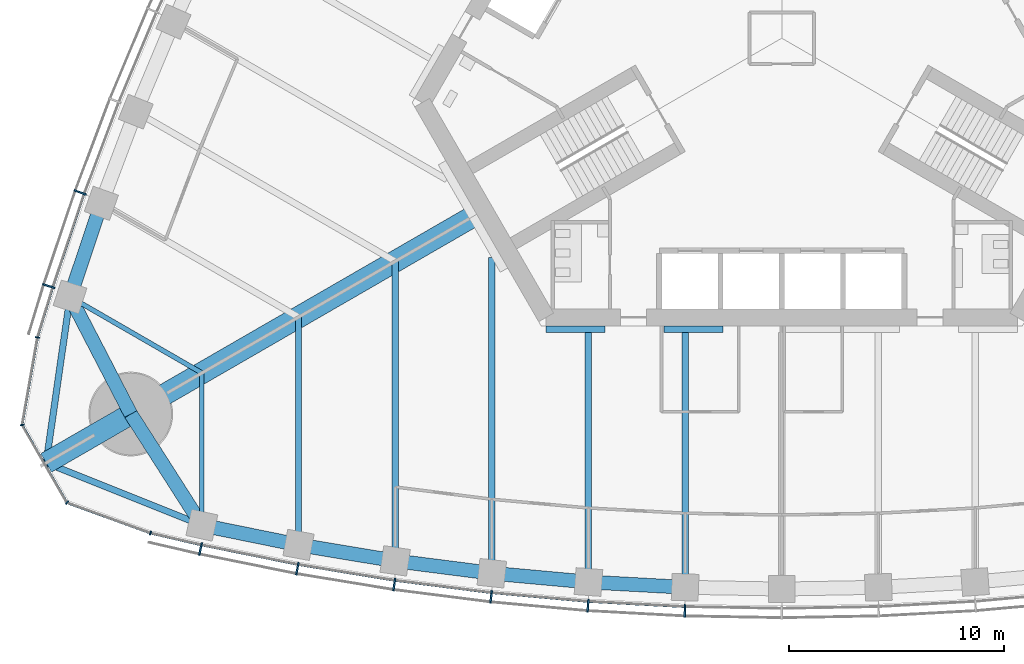
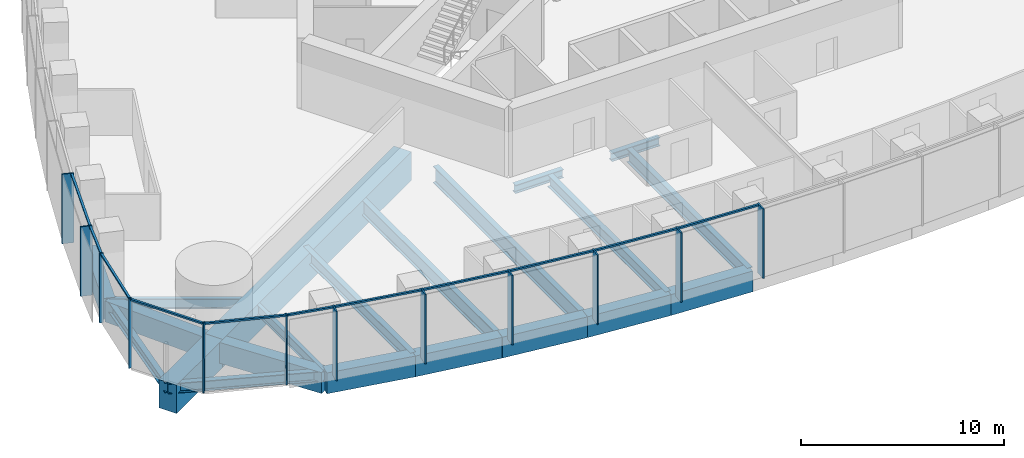
# One storey, part 2 of 19: 23 members, 21 beams, 3 elements without a shape of their own.
"""IFC4 building model written with IfcOpenShell, lengths in metres."""

import ifcopenshell
import ifcopenshell.guid

model = None  # the IFC model being written
_history = None  # IfcOwnerHistory: only IFC2X3 demands one
_inside = {}  # id of a spatial element -> (the spatial element, [elements in it])
_under = {}  # id of a project, library or spatial element -> (it, [spatial elements below it])
_declared = {}  # id of a project -> (the project, [libraries it declares])
_typed = {}  # id of a type object -> (the type object, [elements of that type])
_made_of = {}  # id of a material, layer set ... -> (it, [elements and type objects made of it])


def new_model(schema):
    """Start an empty IFC model of exactly this schema.

    Asked for "IFC4X3", IfcOpenShell would pick the latest addendum, in which some entities
    have other attributes; the version numbers below select the first issue.
    IFC2X3 requires an IfcOwnerHistory on every rooted entity: one is made here for all.
    """
    global model, _history
    if schema == "IFC4X3":
        model = ifcopenshell.file(schema_version=(4, 3, 0, 0))
    else:
        model = ifcopenshell.file(schema=schema)
    _inside.clear()
    _under.clear()
    _declared.clear()
    _typed.clear()
    _made_of.clear()
    _history = None
    if model.schema == "IFC2X3":
        org = make("IfcOrganization", Name="unknown")
        user = make(
            "IfcPersonAndOrganization",
            ThePerson=make("IfcPerson", FamilyName="unknown"),
            TheOrganization=org,
        )
        app = make(
            "IfcApplication",
            ApplicationDeveloper=org,
            Version="unknown",
            ApplicationFullName="unknown",
            ApplicationIdentifier="unknown",
        )
        _history = make(
            "IfcOwnerHistory",
            OwningUser=user,
            OwningApplication=app,
            ChangeAction="ADDED",
            CreationDate=0,
        )
    return model


def make(cls, **values):
    """One entity of the class cls with the attributes given. An attribute that is None is left unset."""
    return model.create_entity(
        cls, **{name: value for name, value in values.items() if value is not None}
    )


def rooted(cls, **values):
    """An entity with a GlobalId (a new one), such as an element, a storey or a relation."""
    return make(cls, GlobalId=ifcopenshell.guid.new(), OwnerHistory=_history, **values)


def si_unit(unit_type, name, prefix=None):
    """IfcSIUnit, for example si_unit("LENGTHUNIT", "METRE", prefix="MILLI")."""
    return make("IfcSIUnit", UnitType=unit_type, Prefix=prefix, Name=name)


def assignment(units):
    """IfcUnitAssignment: the units of a project."""
    return None if units is None else make("IfcUnitAssignment", Units=units)


def point(xyz):
    """IfcCartesianPoint."""
    return None if xyz is None else make("IfcCartesianPoint", Coordinates=xyz)


def direction(xyz):
    """IfcDirection."""
    return None if xyz is None else make("IfcDirection", DirectionRatios=xyz)


def frame(location, z_axis=None, x_axis=None):
    """IfcAxis2Placement3D, a coordinate frame: its origin and axes. An axis left out is left unset."""
    return make(
        "IfcAxis2Placement3D",
        Location=point(location),
        Axis=direction(z_axis),
        RefDirection=direction(x_axis),
    )


def frame_2d(location, x_axis=None):
    """IfcAxis2Placement2D, a coordinate frame in the plane: its origin and x axis."""
    return make(
        "IfcAxis2Placement2D", Location=point(location), RefDirection=direction(x_axis)
    )


def origin():
    """The frame at (0, 0, 0) with its axes left unset."""
    return frame((0.0, 0.0, 0.0))


def origin_2d():
    """The frame at (0, 0) in the plane with its x axis left unset."""
    return frame_2d((0.0, 0.0))


def place(relative_to, where):
    """IfcLocalPlacement: puts the frame where relative to a parent placement (None: the world)."""
    return make(
        "IfcLocalPlacement", PlacementRelTo=relative_to, RelativePlacement=where
    )


def context(
    kind, dimensions, precision=None, world=None, true_north=None, identifier=None
):
    """IfcGeometricRepresentationContext, for example the 3D "Model" context."""
    return make(
        "IfcGeometricRepresentationContext",
        ContextIdentifier=identifier,
        ContextType=kind,
        CoordinateSpaceDimension=dimensions,
        Precision=precision,
        WorldCoordinateSystem=world,
        TrueNorth=true_north,
    )


def subcontext(parent, identifier, kind, view, scale=None):
    """IfcGeometricRepresentationSubContext, for example "Body" below "Model"."""
    return make(
        "IfcGeometricRepresentationSubContext",
        ContextIdentifier=identifier,
        ContextType=kind,
        ParentContext=parent,
        TargetScale=scale,
        TargetView=view,
    )


def project(units=None, contexts=None):
    """IfcProject with its units and contexts."""
    return rooted(
        "IfcProject",
        Name="project",
        RepresentationContexts=contexts,
        UnitsInContext=assignment(units),
    )


def spatial(cls, under=None, at=None, **own):
    """A site, building, storey or space (cls), placed at a placement, below another one or the project."""
    s = rooted(cls, ObjectPlacement=at, **own)
    if under is not None:
        _under.setdefault(under.id(), (under, []))[1].append(s)
    return s


def profile(cls, at=None, kind="AREA", **sizes):
    """A parametric profile (cls). Its sizes go by their IFC names, for example OverallWidth=200.0."""
    return make(cls, ProfileType=kind, Position=at, **sizes)


def rectangle(**sizes):
    """IfcRectangleProfileDef."""
    return profile("IfcRectangleProfileDef", **sizes)


def i_section(**sizes):
    """IfcIShapeProfileDef."""
    return profile("IfcIShapeProfileDef", **sizes)


def extrude(swept, where, along, depth):
    """IfcExtrudedAreaSolid: the profile swept, set in the frame where, extruded along a direction by depth."""
    return make(
        "IfcExtrudedAreaSolid",
        SweptArea=swept,
        Position=where,
        ExtrudedDirection=direction(along),
        Depth=depth,
    )


def shape(context_of_items, identifier, shape_type, items):
    """IfcShapeRepresentation: the items that make up one representation, for example the "Body"."""
    return make(
        "IfcShapeRepresentation",
        ContextOfItems=context_of_items,
        RepresentationIdentifier=identifier,
        RepresentationType=shape_type,
        Items=items,
    )


def material(Name=None, Category=None):
    """IfcMaterial."""
    return make("IfcMaterial", Name=Name, Category=Category)


def material_profile(
    of_material, cross_section, Name=None, Category=None, Priority=None
):
    """IfcMaterialProfile: a cross section and its material."""
    return make(
        "IfcMaterialProfile",
        Name=Name,
        Material=of_material,
        Profile=cross_section,
        Priority=Priority,
        Category=Category,
    )


def profile_set(profiles, Name=None, composite=None):
    """IfcMaterialProfileSet."""
    return make(
        "IfcMaterialProfileSet",
        Name=Name,
        MaterialProfiles=profiles,
        CompositeProfile=composite,
    )


def made_of(thing, what):
    """Note that an element or type object is made of a material, layer set ...; save() writes the relation."""
    if what is not None:
        _made_of.setdefault(what.id(), (what, []))[1].append(thing)
    return thing


def type_object(cls, material=None, **own):
    """A type object (cls), such as IfcWallType, which elements share."""
    return made_of(rooted(cls, **own), material)


def element(
    cls,
    number,
    at=None,
    inside=None,
    cuts=None,
    type_object=None,
    material=None,
    context=None,
    identifier="Body",
    shape_type=None,
    held_by="IfcProductDefinitionShape",
    body=None,
    shapes=None,
    **own,
):
    """One element of the class cls, such as IfcWall. Its Tag is "e" and its number.

    at: its placement. inside: the storey or other place that contains it. cuts: it is an
    opening in that element (IfcRelVoidsElement). A single representation is given by context,
    identifier, shape_type and body (its items); several are given by shapes. held_by: the class
    of the entity that holds the representations. save() writes the other relations.
    """
    e = rooted(cls, Tag="e%d" % number, ObjectPlacement=at, **own)
    if body is not None:
        shapes = [shape(context, identifier, shape_type, body)]
    if shapes is not None:
        e.Representation = make(held_by, Representations=shapes)
    if inside is not None:
        _inside.setdefault(inside.id(), (inside, []))[1].append(e)
    if cuts is not None:
        rooted(
            "IfcRelVoidsElement", RelatingBuildingElement=cuts, RelatedOpeningElement=e
        )
    if type_object is not None:
        _typed.setdefault(type_object.id(), (type_object, []))[1].append(e)
    return made_of(e, material)


def aggregate(whole, parts):
    """IfcRelAggregates: a whole, such as a stair, and the parts it consists of."""
    return rooted("IfcRelAggregates", RelatingObject=whole, RelatedObjects=parts)


def save(model, path):
    """Write the relations noted so far, then the file.

    IfcRelAggregates (storeys below a building ...), IfcRelContainedInSpatialStructure (elements
    in a storey), IfcRelDefinesByType, IfcRelAssociatesMaterial and IfcRelDeclares: one each for
    every whole, place, type object, material and project.
    """
    for whole, parts in _under.values():
        aggregate(whole, parts)
    for where, things in _inside.values():
        rooted(
            "IfcRelContainedInSpatialStructure",
            RelatedElements=things,
            RelatingStructure=where,
        )
    for kind, things in _typed.values():
        rooted("IfcRelDefinesByType", RelatedObjects=things, RelatingType=kind)
    for what, things in _made_of.values():
        rooted("IfcRelAssociatesMaterial", RelatedObjects=things, RelatingMaterial=what)
    for by, libraries in _declared.values():
        rooted("IfcRelDeclares", RelatingContext=by, RelatedDefinitions=libraries)
    model.write(path)


model = new_model("IFC4")

# Units and contexts
model_context = context("Model", 3, precision=1e-05, world=origin(), true_north=direction((0.0, 1.0)))
body_context = subcontext(model_context, "Body", "Model", "MODEL_VIEW")
ifc_project = project(units=[si_unit("LENGTHUNIT", "METRE"), si_unit("AREAUNIT", "SQUARE_METRE"), si_unit("VOLUMEUNIT", "CUBIC_METRE"), si_unit("PLANEANGLEUNIT", "RADIAN"), si_unit("MASSUNIT", "GRAM", prefix="KILO")], contexts=[model_context])

# Site, building, storey
site_placement = place(None, origin())
site = spatial("IfcSite", under=ifc_project, at=site_placement, CompositionType="ELEMENT")
building_placement = place(site_placement, origin())
building = spatial("IfcBuilding", under=site, at=building_placement, Name="Trefoil Bronze Tower", CompositionType="ELEMENT")
storey_placement = place(building_placement, frame((0.0, 0.0, 140.89990234375)))
storey = spatial("IfcBuildingStorey", under=building, at=storey_placement, Name="L32", CompositionType="ELEMENT", Elevation=140.89990234375)

# Curtain wall, members
ifc_material_1 = material(Name="Tinted solar-control glass", Category="glass")
curtain_wall_type_1 = type_object("IfcCurtainWallType", Name="Bronze office curtain wall", PredefinedType="USERDEFINED", material=ifc_material_1)
curtain_wall_1_placement = place(storey_placement, origin())
curtain_wall_1 = element("IfcCurtainWall", 1, at=curtain_wall_1_placement, inside=storey, type_object=curtain_wall_type_1, Name="CW-A L32 F1", ObjectType="CURTAIN WALL", PredefinedType="USERDEFINED")
ifc_material_2 = material(Name="Bronze-finish aluminium", Category="aluminium")
ifc_material_profile_1 = material_profile(ifc_material_2, rectangle(XDim=0.60009765625, YDim=0.080078125, at=origin_2d()), Name="CW-A mullion")
ifc_profile_set_1 = profile_set([ifc_material_profile_1], Name="Bronze-finish aluminium")
member_type_1 = type_object("IfcMemberType", Name="Bronze office curtain wall mullion", PredefinedType="MULLION", material=ifc_profile_set_1)
member_1_placement = place(storey_placement, frame((-27.0634765625, -23.7890625, 0.0), z_axis=(0.0, 0.0, 1.0), x_axis=(0.21197042503, 0.977276081214, 0.0)))
member_1 = element("IfcMember", 2, at=member_1_placement, type_object=member_type_1, Name="CW-A L32 F1 mullion 2", PredefinedType="MULLION", context=body_context, shape_type="SweptSolid", body=[
    extrude(rectangle(XDim=0.60009765625, YDim=0.080078125, at=origin_2d()), origin(), (0.0, 0.0, 1.0), 4.18017578125),
])
member_2_placement = place(storey_placement, frame((-22.553955078125, -24.700927734375, 0.0), z_axis=(0.0, 0.0, 1.0), x_axis=(0.180240853954, 0.98362250613, 0.0)))
member_2 = element("IfcMember", 3, at=member_2_placement, type_object=member_type_1, Name="CW-A L32 F1 mullion 3", PredefinedType="MULLION", context=body_context, shape_type="SweptSolid", body=[
    extrude(rectangle(XDim=0.60009765625, YDim=0.080078125, at=origin_2d()), origin(), (0.0, 0.0, 1.0), 4.18017578125),
])
member_3_placement = place(storey_placement, frame((-18.043212890625, -25.4423828125, 0.0), z_axis=(0.0, 0.0, 1.0), x_axis=(0.144192103798, 0.989549714366, 0.0)))
member_3 = element("IfcMember", 4, at=member_3_placement, type_object=member_type_1, Name="CW-A L32 F1 mullion 4", PredefinedType="MULLION", context=body_context, shape_type="SweptSolid", body=[
    extrude(rectangle(XDim=0.60009765625, YDim=0.080078125, at=origin_2d()), origin(), (0.0, 0.0, 1.0), 4.18017578125),
])
member_4_placement = place(storey_placement, frame((-13.532470703125, -26.01611328125, 0.0), z_axis=(0.0, 0.0, 1.0), x_axis=(0.108143747013, 0.994135267447, 0.0)))
member_4 = element("IfcMember", 5, at=member_4_placement, type_object=member_type_1, Name="CW-A L32 F1 mullion 5", PredefinedType="MULLION", context=body_context, shape_type="SweptSolid", body=[
    extrude(rectangle(XDim=0.60009765625, YDim=0.080078125, at=origin_2d()), origin(), (0.0, 0.0, 1.0), 4.18017578125),
])
member_5_placement = place(storey_placement, frame((-9.021728515625, -26.424072265625, 0.0), z_axis=(0.0, 0.0, 1.0), x_axis=(0.072095676284, 0.997397720802, 0.0)))
member_5 = element("IfcMember", 6, at=member_5_placement, type_object=member_type_1, Name="CW-A L32 F1 mullion 6", PredefinedType="MULLION", context=body_context, shape_type="SweptSolid", body=[
    extrude(rectangle(XDim=0.60009765625, YDim=0.080078125, at=origin_2d()), origin(), (0.0, 0.0, 1.0), 4.18017578125),
])
member_6_placement = place(storey_placement, frame((-4.5107421875, -26.66845703125, 0.0), z_axis=(0.0, 0.0, 1.0), x_axis=(0.036047792107, 0.999350067136, 0.0)))
member_6 = element("IfcMember", 7, at=member_6_placement, type_object=member_type_1, Name="CW-A L32 F1 mullion 7", PredefinedType="MULLION", context=body_context, shape_type="SweptSolid", body=[
    extrude(rectangle(XDim=0.60009765625, YDim=0.080078125, at=origin_2d()), origin(), (0.0, 0.0, 1.0), 4.18017578125),
])

curtain_wall_2_placement = place(storey_placement, origin())
curtain_wall_2 = element("IfcCurtainWall", 8, at=curtain_wall_2_placement, inside=storey, type_object=curtain_wall_type_1, Name="CW-A L32 F3", ObjectType="CURTAIN WALL", PredefinedType="USERDEFINED")
member_7_placement = place(storey_placement, frame((-32.668701171875, -7.181884765625, 0.0), z_axis=(0.0, 0.0, 1.0), x_axis=(0.94196250502, -0.335718094742, 0.0)))
member_7 = element("IfcMember", 9, at=member_7_placement, type_object=member_type_1, Name="CW-A L32 F3 mullion 13", PredefinedType="MULLION", context=body_context, shape_type="SweptSolid", body=[
    extrude(rectangle(XDim=0.60009765625, YDim=0.080078125, at=origin_2d()), origin(), (0.0, 0.0, 1.0), 4.18017578125),
])
member_8_placement = place(storey_placement, frame((-34.1337890625, -11.543212890625, 0.0), z_axis=(0.0, 0.0, 1.0), x_axis=(0.952331125357, -0.30506626768, 0.0)))
member_8 = element("IfcMember", 10, at=member_8_placement, type_object=member_type_1, Name="CW-A L32 F3 mullion 14", PredefinedType="MULLION", context=body_context, shape_type="SweptSolid", body=[
    extrude(rectangle(XDim=0.60009765625, YDim=0.080078125, at=origin_2d()), origin(), (0.0, 0.0, 1.0), 4.18017578125),
])

# Member
ifc_material_3 = material(Name="Bronze-finish aluminium", Category="aluminium")
ifc_material_profile_2 = material_profile(ifc_material_3, rectangle(XDim=0.1201171875, YDim=0.10009765625, at=origin_2d()), Name="CW-A transom")
ifc_profile_set_2 = profile_set([ifc_material_profile_2], Name="Bronze-finish aluminium")
member_type_2 = type_object("IfcMemberType", Name="Bronze office curtain wall transom", PredefinedType="USERDEFINED", material=ifc_profile_set_2)
member_9_placement = place(storey_placement, frame((-29.34130859375, -23.05615234375, 4.130126953125), z_axis=(0.974206243495, -0.225659467196, 0.0), x_axis=(0.225659467196, 0.974206243495, 0.0)))
member_9 = element("IfcMember", 11, at=member_9_placement, type_object=member_type_2, Name="CW-A L32 F1 transom 1", ObjectType="TRANSOM", PredefinedType="USERDEFINED", context=body_context, shape_type="SweptSolid", body=[
    extrude(rectangle(XDim=0.1201171875, YDim=0.10009765625, at=origin_2d()), origin(), (0.0, 0.0, 1.0), 2.340087890625),
])

member_10_placement = place(storey_placement, frame((-26.980712890625, -23.601806640625, 4.130126953125), z_axis=(0.980153749225, -0.198238815273, 0.0), x_axis=(0.198238815273, 0.980153749225, 0.0)))
member_10 = element("IfcMember", 12, at=member_10_placement, type_object=member_type_2, Name="CW-A L32 F1 transom 2", ObjectType="TRANSOM", PredefinedType="USERDEFINED", context=body_context, shape_type="SweptSolid", body=[
    extrude(rectangle(XDim=0.1201171875, YDim=0.10009765625, at=origin_2d()), origin(), (0.0, 0.0, 1.0), 4.51123046875),
])

member_11_placement = place(storey_placement, frame((-22.476806640625, -24.510986328125, 4.130126953125), z_axis=(0.986755265284, -0.162216048636, 0.0), x_axis=(0.162216048636, 0.986755265284, 0.0)))
member_11 = element("IfcMember", 13, at=member_11_placement, type_object=member_type_2, Name="CW-A L32 F1 transom 3", ObjectType="TRANSOM", PredefinedType="USERDEFINED", context=body_context, shape_type="SweptSolid", body=[
    extrude(rectangle(XDim=0.1201171875, YDim=0.10009765625, at=origin_2d()), origin(), (0.0, 0.0, 1.0), 4.48046875),
])

member_12_placement = place(storey_placement, frame((-17.972900390625, -25.249755859375, 4.130126953125), z_axis=(0.992008387848, -0.12617193998, 0.0), x_axis=(0.12617193998, 0.992008387848, 0.0)))
member_12 = element("IfcMember", 14, at=member_12_placement, type_object=member_type_2, Name="CW-A L32 F1 transom 4", ObjectType="TRANSOM", PredefinedType="USERDEFINED", context=body_context, shape_type="SweptSolid", body=[
    extrude(rectangle(XDim=0.1201171875, YDim=0.10009765625, at=origin_2d()), origin(), (0.0, 0.0, 1.0), 4.456298828125),
])

member_13_placement = place(storey_placement, frame((-13.46923828125, -25.821044921875, 4.130126953125), z_axis=(0.995932787062, -0.090099298863, 0.0), x_axis=(0.090099298863, 0.995932787062, 0.0)))
member_13 = element("IfcMember", 15, at=member_13_placement, type_object=member_type_2, Name="CW-A L32 F1 transom 5", ObjectType="TRANSOM", PredefinedType="USERDEFINED", context=body_context, shape_type="SweptSolid", body=[
    extrude(rectangle(XDim=0.1201171875, YDim=0.10009765625, at=origin_2d()), origin(), (0.0, 0.0, 1.0), 4.4384765625),
])

member_14_placement = place(storey_placement, frame((-8.965576171875, -26.22705078125, 4.130126953125), z_axis=(0.998538253569, -0.054049571306, 0.0), x_axis=(0.054049571306, 0.998538253569, 0.0)))
member_14 = element("IfcMember", 16, at=member_14_placement, type_object=member_type_2, Name="CW-A L32 F1 transom 6", ObjectType="TRANSOM", PredefinedType="USERDEFINED", context=body_context, shape_type="SweptSolid", body=[
    extrude(rectangle(XDim=0.1201171875, YDim=0.10009765625, at=origin_2d()), origin(), (0.0, 0.0, 1.0), 4.4267578125),
])

aggregate(curtain_wall_1, [member_1, member_2, member_3, member_4, member_5, member_6, member_9, member_10, member_11, member_12, member_13, member_14])

member_15_placement = place(storey_placement, frame((-32.49365234375, -7.28857421875, 4.130126953125), z_axis=(-0.318386323729, -0.947961048178, 0.0), x_axis=(0.947961048178, -0.318386323729, 0.0)))
member_15 = element("IfcMember", 17, at=member_15_placement, type_object=member_type_2, Name="CW-A L32 F3 transom 13", ObjectType="TRANSOM", PredefinedType="USERDEFINED", context=body_context, shape_type="SweptSolid", body=[
    extrude(rectangle(XDim=0.1201171875, YDim=0.10009765625, at=origin_2d()), origin(), (0.0, 0.0, 1.0), 4.51123046875),
])

member_16_placement = place(storey_placement, frame((-33.955322265625, -11.643798828125, 4.130126953125), z_axis=(-0.291680468798, -0.956515814883, 0.0), x_axis=(0.956515814883, -0.291680468798, 0.0)))
member_16 = element("IfcMember", 18, at=member_16_placement, type_object=member_type_2, Name="CW-A L32 F3 transom 14", ObjectType="TRANSOM", PredefinedType="USERDEFINED", context=body_context, shape_type="SweptSolid", body=[
    extrude(rectangle(XDim=0.1201171875, YDim=0.10009765625, at=origin_2d()), origin(), (0.0, 0.0, 1.0), 2.34033203125),
])

aggregate(curtain_wall_2, [member_7, member_8, member_15, member_16])

# Curtain wall, members
ifc_material_4 = material(Name="Tinted solar-control glass", Category="glass")
curtain_wall_type_2 = type_object("IfcCurtainWallType", Name="Bronze rounded corner curtain wall", PredefinedType="USERDEFINED", material=ifc_material_4)
curtain_wall_3_placement = place(storey_placement, origin())
curtain_wall_3 = element("IfcCurtainWall", 19, at=curtain_wall_3_placement, inside=storey, type_object=curtain_wall_type_2, Name="CW-B L32 K3", ObjectType="CURTAIN WALL", PredefinedType="USERDEFINED")
ifc_material_5 = material(Name="Bronze-finish aluminium", Category="aluminium")
ifc_material_profile_3 = material_profile(ifc_material_5, rectangle(XDim=0.199951171875, YDim=0.06005859375, at=origin_2d()), Name="CW-B mullion")
ifc_profile_set_3 = profile_set([ifc_material_profile_3], Name="Bronze-finish aluminium")
member_type_3 = type_object("IfcMemberType", Name="Bronze rounded corner curtain wall mullion", PredefinedType="MULLION", material=ifc_profile_set_3)
member_17_placement = place(storey_placement, frame((-34.65234375, -13.932373046875, 0.0), z_axis=(0.0, 0.0, 1.0), x_axis=(0.984807753012, -0.173648177667, 0.0)))
member_17 = element("IfcMember", 20, at=member_17_placement, type_object=member_type_3, Name="CW-B L32 K3 mullion 1", PredefinedType="MULLION", context=body_context, shape_type="SweptSolid", body=[
    extrude(rectangle(XDim=0.199951171875, YDim=0.06005859375, at=origin_2d()), origin(), (0.0, 0.0, 1.0), 4.18017578125),
])
member_18_placement = place(storey_placement, frame((-35.364990234375, -18.009033203125, 0.0), z_axis=(0.0, 0.0, 1.0), x_axis=(0.984807753012, 0.173648177667, 0.0)))
member_18 = element("IfcMember", 21, at=member_18_placement, type_object=member_type_3, Name="CW-B L32 K3 mullion 2", PredefinedType="MULLION", context=body_context, shape_type="SweptSolid", body=[
    extrude(rectangle(XDim=0.199951171875, YDim=0.06005859375, at=origin_2d()), origin(), (0.0, 0.0, 1.0), 4.18017578125),
])
member_19_placement = place(storey_placement, frame((-33.27880859375, -21.62255859375, 0.0), z_axis=(0.0, 0.0, 1.0), x_axis=(0.642787609687, 0.766044443119, 0.0)))
member_19 = element("IfcMember", 22, at=member_19_placement, type_object=member_type_3, Name="CW-B L32 K3 mullion 3", PredefinedType="MULLION", context=body_context, shape_type="SweptSolid", body=[
    extrude(rectangle(XDim=0.199951171875, YDim=0.06005859375, at=origin_2d()), origin(), (0.0, 0.0, 1.0), 4.18017578125),
])
member_20_placement = place(storey_placement, frame((-29.391845703125, -23.043701171875, 0.0), z_axis=(0.0, 0.0, 1.0), x_axis=(0.342020143326, 0.939692620786, 0.0)))
member_20 = element("IfcMember", 23, at=member_20_placement, type_object=member_type_3, Name="CW-B L32 K3 mullion 4", PredefinedType="MULLION", context=body_context, shape_type="SweptSolid", body=[
    extrude(rectangle(XDim=0.199951171875, YDim=0.06005859375, at=origin_2d()), origin(), (0.0, 0.0, 1.0), 4.18017578125),
])
ifc_material_6 = material(Name="Bronze-finish aluminium", Category="aluminium")
ifc_material_profile_4 = material_profile(ifc_material_6, rectangle(XDim=0.1201171875, YDim=0.10009765625, at=origin_2d()), Name="CW-B transom")
ifc_profile_set_4 = profile_set([ifc_material_profile_4], Name="Bronze-finish aluminium")
member_type_4 = type_object("IfcMemberType", Name="Bronze rounded corner curtain wall transom", PredefinedType="USERDEFINED", material=ifc_profile_set_4)
member_21_placement = place(storey_placement, frame((-34.657470703125, -13.9619140625, 4.130126953125), z_axis=(-0.173682016639, -0.984801785689, 0.0), x_axis=(0.984801785689, -0.173682016639, 0.0)))
member_21 = element("IfcMember", 24, at=member_21_placement, type_object=member_type_4, Name="CW-B L32 K3 transom 1", ObjectType="TRANSOM", PredefinedType="USERDEFINED", context=body_context, shape_type="SweptSolid", body=[
    extrude(rectangle(XDim=0.1201171875, YDim=0.10009765625, at=origin_2d()), origin(), (0.0, 0.0, 1.0), 4.044189453125),
])
member_22_placement = place(storey_placement, frame((-35.338134765625, -18.067626953125, 4.130126953125), z_axis=(0.500015078168, -0.866016698225, 0.0), x_axis=(0.866016698225, 0.500015078168, 0.0)))
member_22 = element("IfcMember", 25, at=member_22_placement, type_object=member_type_4, Name="CW-B L32 K3 transom 2", ObjectType="TRANSOM", PredefinedType="USERDEFINED", context=body_context, shape_type="SweptSolid", body=[
    extrude(rectangle(XDim=0.1201171875, YDim=0.10009765625, at=origin_2d()), origin(), (0.0, 0.0, 1.0), 4.04443359375),
])
member_23_placement = place(storey_placement, frame((-33.220458984375, -21.650146484375, 4.130126953125), z_axis=(0.939684096629, -0.342043562347, 0.0), x_axis=(0.342043562347, 0.939684096629, 0.0)))
member_23 = element("IfcMember", 26, at=member_23_placement, type_object=member_type_4, Name="CW-B L32 K3 transom 3", ObjectType="TRANSOM", PredefinedType="USERDEFINED", context=body_context, shape_type="SweptSolid", body=[
    extrude(rectangle(XDim=0.1201171875, YDim=0.10009765625, at=origin_2d()), origin(), (0.0, 0.0, 1.0), 4.044189453125),
])
aggregate(curtain_wall_3, [member_17, member_18, member_19, member_20, member_21, member_22, member_23])

# Beams
ifc_material_7 = material(Name="Steel C355", Category="steel")
ifc_material_profile_5 = material_profile(ifc_material_7, i_section(OverallWidth=0.300048828125, OverallDepth=0.5, WebThickness=0.014404296875, FlangeThickness=0.028076171875, FilletRadius=0.027099609375, at=origin_2d()), Name="HEB 500")
ifc_profile_set_5 = profile_set([ifc_material_profile_5], Name="Steel C355")
beam_type_1 = type_object("IfcBeamType", Name="Core seat beam HEB 500", PredefinedType="BEAM", material=ifc_profile_set_5)
for number, where, z_axis, x_axis, name in (
    (27, (-10.9697265625, -13.550048828125, -0.449951171875), (1.0, 0.0, 0.0), (0.0, 1.0, 0.0), "Core seat beam F1/-2 L32"),
    (28, (-5.48486328125, -13.550048828125, -0.449951171875), (1.0, 0.0, 0.0), (0.0, 1.0, 0.0), "Core seat beam F1/-1 L32"),
):
    element("IfcBeam", number, at=place(storey_placement, frame(where, z_axis=z_axis, x_axis=x_axis)), inside=storey, type_object=beam_type_1, Name=name, PredefinedType="BEAM", context=body_context, shape_type="SweptSolid", body=[
        extrude(i_section(OverallWidth=0.300048828125, OverallDepth=0.5, WebThickness=0.014404296875, FlangeThickness=0.028076171875, FilletRadius=0.027099609375, at=origin_2d()), origin(), (0.0, 0.0, 1.0), 2.742431640625),
    ])
ifc_material_8 = material(Name="Concrete B80", Category="concrete")
ifc_material_profile_6 = material_profile(ifc_material_8, rectangle(XDim=1.0, YDim=1.699951171875, at=origin_2d()), Name="RC 1000x1700")
ifc_profile_set_6 = profile_set([ifc_material_profile_6], Name="Concrete B80")
beam_type_2 = type_object("IfcBeamType", Name="Corner cantilever RC 1000x1700", PredefinedType="BEAM", material=ifc_profile_set_6)
beam_1_placement = place(storey_placement, frame((-30.310791015625, -17.5, -1.0498046875), z_axis=(-0.866031878637, -0.499988785058, 0.0), x_axis=(0.499988785058, -0.866031878637, 0.0)))
element("IfcBeam", 29, at=beam_1_placement, inside=storey, type_object=beam_type_2, Name="Corner cantilever K3 L32", PredefinedType="BEAM", context=body_context, shape_type="SweptSolid", body=[
    extrude(rectangle(XDim=1.0, YDim=1.699951171875, at=origin_2d()), origin(), (0.0, 0.0, 1.0), 4.54931640625),
])
ifc_material_9 = material(Name="Steel C355", Category="steel")
ifc_material_profile_7 = material_profile(ifc_material_9, i_section(OverallWidth=0.300048828125, OverallDepth=0.60009765625, WebThickness=0.015380859375, FlangeThickness=0.030029296875, FilletRadius=0.027099609375, at=origin_2d()), Name="HEB 600")
ifc_profile_set_7 = profile_set([ifc_material_profile_7], Name="Steel C355")
beam_type_3 = type_object("IfcBeamType", Name="Corner edge beam HEB 600", PredefinedType="BEAM", material=ifc_profile_set_7)
for number, where, z_axis, x_axis, name in (
    (30, (-27.0, -22.67724609375, -0.5), (-0.928375332495, 0.371643972122, 0.0), (-0.371643972122, -0.928375332495, 0.0), "Corner edge beam F1B L32"),
    (31, (-33.13916015625, -12.044189453125, -0.5), (-0.142327214588, -0.989819662357, 0.0), (0.989819662357, -0.142327214588, 0.0), "Corner edge beam F3A L32"),
):
    element("IfcBeam", number, at=place(storey_placement, frame(where, z_axis=z_axis, x_axis=x_axis)), inside=storey, type_object=beam_type_3, Name=name, PredefinedType="BEAM", context=body_context, shape_type="SweptSolid", body=[
        extrude(i_section(OverallWidth=0.300048828125, OverallDepth=0.60009765625, WebThickness=0.015380859375, FlangeThickness=0.030029296875, FilletRadius=0.027099609375, at=origin_2d()), origin(), (0.0, 0.0, 1.0), 7.81005859375),
    ])
ifc_material_10 = material(Name="Concrete B80", Category="concrete")
ifc_material_profile_8 = material_profile(ifc_material_10, rectangle(XDim=1.0, YDim=1.699951171875, at=origin_2d()), Name="RC 1000x1700")
ifc_profile_set_8 = profile_set([ifc_material_profile_8], Name="Concrete B80")
beam_type_4 = type_object("IfcBeamType", Name="Corner girder RC 1000x1700", PredefinedType="BEAM", material=ifc_profile_set_8)
beam_2_placement = place(storey_placement, frame((-14.202880859375, -8.199951171875, -1.0498046875), z_axis=(-0.866022084834, -0.500005748546, 0.0), x_axis=(0.500005748546, -0.866022084834, 0.0)))
element("IfcBeam", 32, at=beam_2_placement, inside=storey, type_object=beam_type_4, Name="Corner girder K3 L32", PredefinedType="BEAM", context=body_context, shape_type="SweptSolid", body=[
    extrude(rectangle(XDim=1.0, YDim=1.699951171875, at=origin_2d()), origin(), (0.0, 0.0, 1.0), 18.599853515625),
])
ifc_material_11 = material(Name="Concrete B80", Category="concrete")
ifc_material_profile_9 = material_profile(ifc_material_11, rectangle(XDim=0.64990234375, YDim=1.25, at=origin_2d()), Name="RC 650x1250")
ifc_profile_set_9 = profile_set([ifc_material_profile_9], Name="Concrete B80")
beam_type_5 = type_object("IfcBeamType", Name="End spandrel beam RC 650x1250", PredefinedType="SPANDREL", material=ifc_profile_set_9)
for number, where, z_axis, x_axis, name in (
    (33, (-30.310791015625, -17.5, -0.824951171875), (0.53874814953, -0.84246687257, 0.0), (0.84246687257, 0.53874814953, 0.0), "Spandrel F1.1 L32"),
    (34, (-33.13916015625, -12.044189453125, -0.824951171875), (0.460244107083, -0.887792409235, 0.0), (0.887792409235, 0.460244107083, 0.0), "Spandrel F3.14 L32"),
):
    element("IfcBeam", number, at=place(storey_placement, frame(where, z_axis=z_axis, x_axis=x_axis)), inside=storey, type_object=beam_type_5, Name=name, PredefinedType="SPANDREL", context=body_context, shape_type="SweptSolid", body=[
        extrude(rectangle(XDim=0.64990234375, YDim=1.25, at=origin_2d()), origin(), (0.0, 0.0, 1.0), 6.145263671875),
    ])
ifc_material_12 = material(Name="Steel C355", Category="steel")
ifc_material_profile_10 = material_profile(ifc_material_12, i_section(OverallWidth=0.300048828125, OverallDepth=1.0, WebThickness=0.01904296875, FlangeThickness=0.035888671875, FilletRadius=0.030029296875, at=origin_2d()), Name="HEB 1000")
ifc_profile_set_10 = profile_set([ifc_material_profile_10], Name="Steel C355")
beam_type_6 = type_object("IfcBeamType", Name="Floor beam HEB 1000", PredefinedType="BEAM", material=ifc_profile_set_10)
beam_3_placement = place(storey_placement, frame((-13.5, -24.9130859375, -0.699951171875), z_axis=(0.0, 1.0, 0.0), x_axis=(-1.0, 0.0, 0.0)))
element("IfcBeam", 35, at=beam_3_placement, inside=storey, type_object=beam_type_6, Name="Floor beam F1/-3 L32", PredefinedType="BEAM", context=body_context, shape_type="SweptSolid", body=[
    extrude(i_section(OverallWidth=0.300048828125, OverallDepth=1.0, WebThickness=0.01904296875, FlangeThickness=0.035888671875, FilletRadius=0.030029296875, at=origin_2d()), origin(), (0.0, 0.0, 1.0), 14.69580078125),
])
ifc_material_13 = material(Name="Steel C355", Category="steel")
ifc_material_profile_11 = material_profile(ifc_material_13, i_section(OverallWidth=0.300048828125, OverallDepth=0.699951171875, WebThickness=0.01708984375, FlangeThickness=0.031982421875, FilletRadius=0.027099609375, at=origin_2d()), Name="HEB 700")
ifc_profile_set_11 = profile_set([ifc_material_profile_11], Name="Steel C355")
beam_type_7 = type_object("IfcBeamType", Name="Floor beam HEB 700", PredefinedType="BEAM", material=ifc_profile_set_11)
beam_4_placement = place(storey_placement, frame((-22.5, -23.592529296875, -0.5498046875), z_axis=(0.0, 1.0, 0.0), x_axis=(-1.0, 0.0, 0.0)))
element("IfcBeam", 36, at=beam_4_placement, inside=storey, type_object=beam_type_7, Name="Floor beam F1/-5 L32", PredefinedType="BEAM", context=body_context, shape_type="SweptSolid", body=[
    extrude(i_section(OverallWidth=0.300048828125, OverallDepth=0.699951171875, WebThickness=0.01708984375, FlangeThickness=0.031982421875, FilletRadius=0.027099609375, at=origin_2d()), origin(), (0.0, 0.0, 1.0), 10.60205078125),
])
beam_5_placement = place(storey_placement, frame((-9.0, -25.32275390625, -0.5498046875), z_axis=(0.0, 1.0, 0.0), x_axis=(-1.0, 0.0, 0.0)))
element("IfcBeam", 37, at=beam_5_placement, inside=storey, type_object=beam_type_7, Name="Floor beam F1/-2 L32", PredefinedType="BEAM", context=body_context, shape_type="SweptSolid", body=[
    extrude(i_section(OverallWidth=0.300048828125, OverallDepth=0.699951171875, WebThickness=0.01708984375, FlangeThickness=0.031982421875, FilletRadius=0.027099609375, at=origin_2d()), origin(), (0.0, 0.0, 1.0), 11.622802734375),
])
ifc_material_14 = material(Name="Steel C355", Category="steel")
ifc_material_profile_12 = material_profile(ifc_material_14, i_section(OverallWidth=0.300048828125, OverallDepth=0.800048828125, WebThickness=0.017578125, FlangeThickness=0.032958984375, FilletRadius=0.030029296875, at=origin_2d()), Name="HEB 800")
ifc_profile_set_12 = profile_set([ifc_material_profile_12], Name="Steel C355")
beam_type_8 = type_object("IfcBeamType", Name="Floor beam HEB 800", PredefinedType="BEAM", material=ifc_profile_set_12)
beam_6_placement = place(storey_placement, frame((-4.5, -25.568115234375, -0.599853515625), z_axis=(0.0, 1.0, 0.0), x_axis=(-1.0, 0.0, 0.0)))
element("IfcBeam", 38, at=beam_6_placement, inside=storey, type_object=beam_type_8, Name="Floor beam F1/-1 L32", PredefinedType="BEAM", context=body_context, shape_type="SweptSolid", body=[
    extrude(i_section(OverallWidth=0.300048828125, OverallDepth=0.800048828125, WebThickness=0.017578125, FlangeThickness=0.032958984375, FilletRadius=0.030029296875, at=origin_2d()), origin(), (0.0, 0.0, 1.0), 11.8681640625),
])
ifc_material_15 = material(Name="Steel C355", Category="steel")
ifc_material_profile_13 = material_profile(ifc_material_15, i_section(OverallWidth=0.300048828125, OverallDepth=0.89990234375, WebThickness=0.0185546875, FlangeThickness=0.034912109375, FilletRadius=0.030029296875, at=origin_2d()), Name="HEB 900")
ifc_profile_set_13 = profile_set([ifc_material_profile_13], Name="Steel C355")
beam_type_9 = type_object("IfcBeamType", Name="Floor beam HEB 900", PredefinedType="BEAM", material=ifc_profile_set_13)
beam_7_placement = place(storey_placement, frame((-18.0, -24.337158203125, -0.64990234375), z_axis=(0.0, 1.0, 0.0), x_axis=(-1.0, 0.0, 0.0)))
element("IfcBeam", 39, at=beam_7_placement, inside=storey, type_object=beam_type_9, Name="Floor beam F1/-4 L32", PredefinedType="BEAM", context=body_context, shape_type="SweptSolid", body=[
    extrude(i_section(OverallWidth=0.300048828125, OverallDepth=0.89990234375, WebThickness=0.0185546875, FlangeThickness=0.034912109375, FilletRadius=0.030029296875, at=origin_2d()), origin(), (0.0, 0.0, 1.0), 13.94482421875),
])
ifc_material_16 = material(Name="Steel C355", Category="steel")
ifc_material_profile_14 = material_profile(ifc_material_16, i_section(OverallWidth=0.219970703125, OverallDepth=0.60009765625, WebThickness=0.011962890625, FlangeThickness=0.01904296875, FilletRadius=0.02392578125, at=origin_2d()), Name="IPE 600")
ifc_profile_set_14 = profile_set([ifc_material_profile_14], Name="Steel C355")
beam_type_10 = type_object("IfcBeamType", Name="Floor beam IPE 600", PredefinedType="BEAM", material=ifc_profile_set_14)
for number, where, z_axis, x_axis, name in (
    (40, (-27.0, -22.67724609375, -0.5), (0.0, 1.0, 0.0), (-1.0, 0.0, 0.0), "Floor beam F1/-6 L32"),
    (41, (-33.13916015625, -12.044189453125, -0.5), (0.866041060244, -0.499972881236, 0.0), (0.499972881236, 0.866041060244, 0.0), "Floor beam F3/+6 L32"),
):
    element("IfcBeam", number, at=place(storey_placement, frame(where, z_axis=z_axis, x_axis=x_axis)), inside=storey, type_object=beam_type_10, Name=name, PredefinedType="BEAM", context=body_context, shape_type="SweptSolid", body=[
        extrude(i_section(OverallWidth=0.219970703125, OverallDepth=0.60009765625, WebThickness=0.011962890625, FlangeThickness=0.01904296875, FilletRadius=0.02392578125, at=origin_2d()), origin(), (0.0, 0.0, 1.0), 7.0888671875),
    ])
ifc_material_17 = material(Name="Concrete B80", Category="concrete")
ifc_material_profile_15 = material_profile(ifc_material_17, rectangle(XDim=0.64990234375, YDim=1.25, at=origin_2d()), Name="RC 650x1250")
ifc_profile_set_15 = profile_set([ifc_material_profile_15], Name="Concrete B80")
beam_type_11 = type_object("IfcBeamType", Name="Spandrel beam RC 650x1250", PredefinedType="SPANDREL", material=ifc_profile_set_15)
beam_8_placement = place(storey_placement, frame((-27.0, -22.67724609375, -0.824951171875), z_axis=(0.979935430296, -0.199315208777, 0.0), x_axis=(0.199315208777, 0.979935430296, 0.0)))
element("IfcBeam", 42, at=beam_8_placement, inside=storey, type_object=beam_type_11, Name="Spandrel F1.2 L32", PredefinedType="SPANDREL", context=body_context, shape_type="SweptSolid", body=[
    extrude(rectangle(XDim=0.64990234375, YDim=1.25, at=origin_2d()), origin(), (0.0, 0.0, 1.0), 4.592041015625),
])
beam_9_placement = place(storey_placement, frame((-22.5, -23.592529296875, -0.824951171875), z_axis=(0.986584214684, -0.163253138823, 0.0), x_axis=(0.163253138823, 0.986584214684, 0.0)))
element("IfcBeam", 43, at=beam_9_placement, inside=storey, type_object=beam_type_11, Name="Spandrel F1.3 L32", PredefinedType="SPANDREL", context=body_context, shape_type="SweptSolid", body=[
    extrude(rectangle(XDim=0.64990234375, YDim=1.25, at=origin_2d()), origin(), (0.0, 0.0, 1.0), 4.561279296875),
])
beam_10_placement = place(storey_placement, frame((-18.0, -24.337158203125, -0.824951171875), z_axis=(0.991909314257, -0.126948463126, 0.0), x_axis=(0.126948463126, 0.991909314257, 0.0)))
element("IfcBeam", 44, at=beam_10_placement, inside=storey, type_object=beam_type_11, Name="Spandrel F1.4 L32", PredefinedType="SPANDREL", context=body_context, shape_type="SweptSolid", body=[
    extrude(rectangle(XDim=0.64990234375, YDim=1.25, at=origin_2d()), origin(), (0.0, 0.0, 1.0), 4.53662109375),
])
beam_11_placement = place(storey_placement, frame((-13.5, -24.9130859375, -0.824951171875), z_axis=(0.995881683815, -0.090662405894, 0.0), x_axis=(0.090662405894, 0.995881683815, 0.0)))
element("IfcBeam", 45, at=beam_11_placement, inside=storey, type_object=beam_type_11, Name="Spandrel F1.5 L32", PredefinedType="SPANDREL", context=body_context, shape_type="SweptSolid", body=[
    extrude(rectangle(XDim=0.64990234375, YDim=1.25, at=origin_2d()), origin(), (0.0, 0.0, 1.0), 4.5185546875),
])
beam_12_placement = place(storey_placement, frame((-9.0, -25.32275390625, -0.824951171875), z_axis=(0.998516832602, -0.054443870267, 0.0), x_axis=(0.054443870267, 0.998516832602, 0.0)))
element("IfcBeam", 46, at=beam_12_placement, inside=storey, type_object=beam_type_11, Name="Spandrel F1.6 L32", PredefinedType="SPANDREL", context=body_context, shape_type="SweptSolid", body=[
    extrude(rectangle(XDim=0.64990234375, YDim=1.25, at=origin_2d()), origin(), (0.0, 0.0, 1.0), 4.506591796875),
])
beam_13_placement = place(storey_placement, frame((-31.681884765625, -7.689208984375, -0.824951171875), z_axis=(-0.31732802068, -0.948315837309, 0.0), x_axis=(0.948315837309, -0.31732802068, 0.0)))
element("IfcBeam", 47, at=beam_13_placement, inside=storey, type_object=beam_type_11, Name="Spandrel F3.13 L32", PredefinedType="SPANDREL", context=body_context, shape_type="SweptSolid", body=[
    extrude(rectangle(XDim=0.64990234375, YDim=1.25, at=origin_2d()), origin(), (0.0, 0.0, 1.0), 4.59228515625),
])

save(model, "model.ifc")
